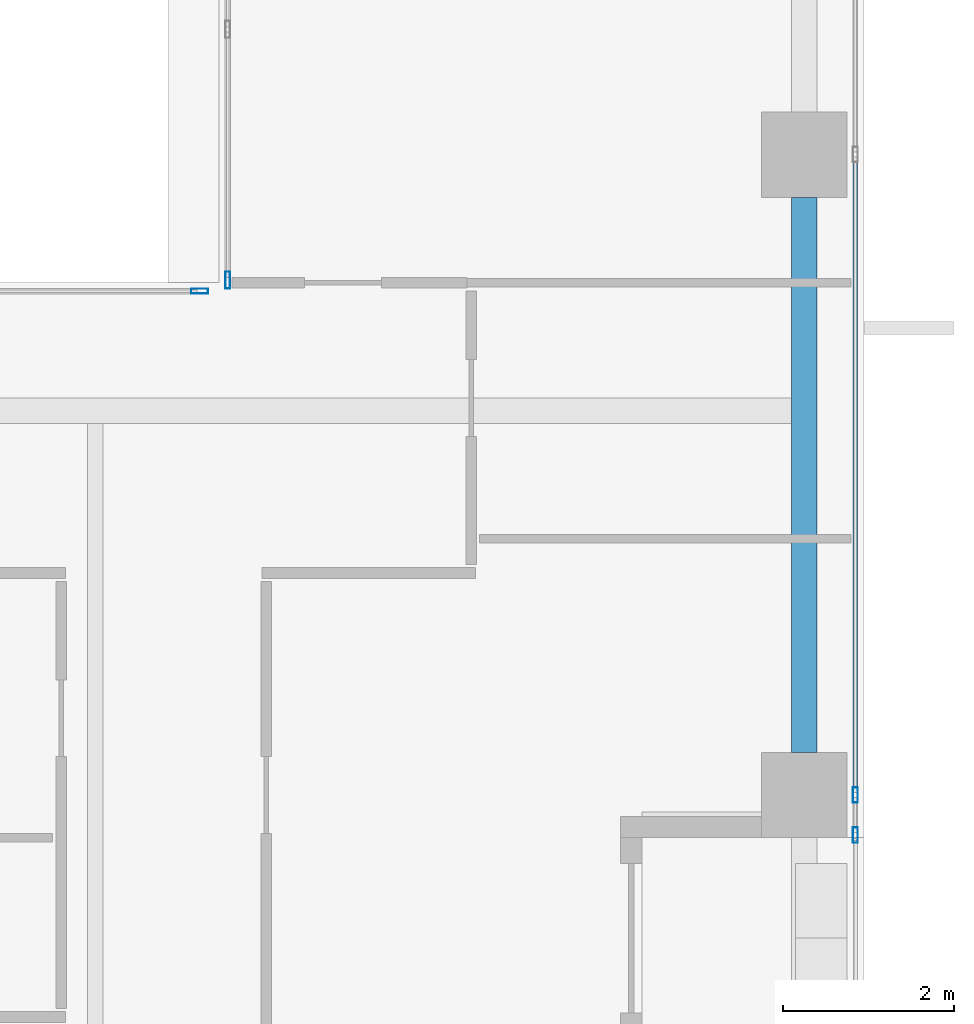
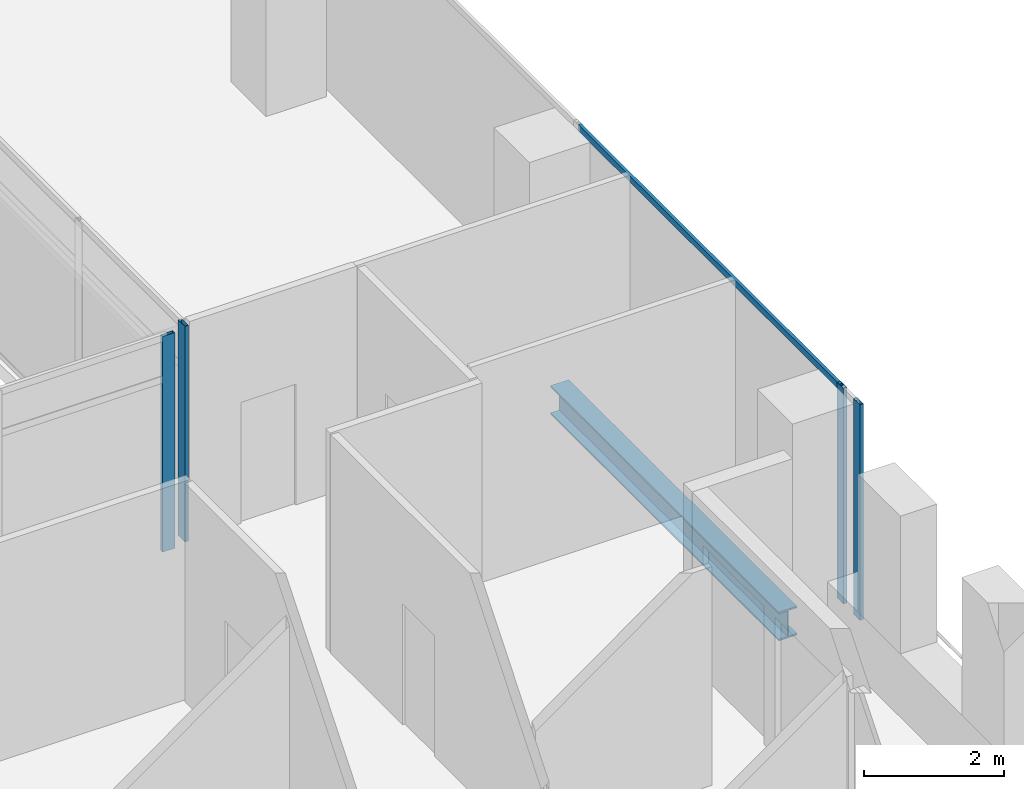
# One storey, part 17 of 37: 5 members, 1 beam, 3 elements without a shape of their own.
"""IFC4 building model written with IfcOpenShell, lengths in metres."""

from ifc_helpers import new_model, si_unit, direction, frame, origin, origin_2d, place, context, subcontext, project, spatial, hollow_rectangle, i_section, extrude, source, transform, mapped, material, material_profile, profile_set, type_object, element, aggregate, save


model = new_model("IFC4")

# Units and contexts
model_context = context("Model", 3, precision=1e-05, world=origin(), true_north=direction((0.0, 1.0)))
body_context = subcontext(model_context, "Body", "Model", "MODEL_VIEW")
ifc_project = project(units=[si_unit("LENGTHUNIT", "METRE"), si_unit("AREAUNIT", "SQUARE_METRE"), si_unit("VOLUMEUNIT", "CUBIC_METRE"), si_unit("PLANEANGLEUNIT", "RADIAN"), si_unit("MASSUNIT", "GRAM", prefix="KILO")], contexts=[model_context])

# Site, building, storey
site_placement = place(None, origin())
site = spatial("IfcSite", under=ifc_project, at=site_placement, CompositionType="ELEMENT")
building_placement = place(site_placement, origin())
building = spatial("IfcBuilding", under=site, at=building_placement, Name="Khomas Fold Tower", CompositionType="ELEMENT")
storey_placement = place(building_placement, frame((0.0, 0.0, 168.699951171875)))
storey = spatial("IfcBuildingStorey", under=building, at=storey_placement, Name="L36", CompositionType="ELEMENT", Elevation=168.699951171875)

# Beam
ifc_material_1 = material(Name="Steel S355", Category="steel")
ifc_material_profile_1 = material_profile(ifc_material_1, i_section(OverallWidth=0.300048828125, OverallDepth=0.5, WebThickness=0.014404296875, FlangeThickness=0.028076171875, at=origin_2d()), Name="HE 500 B")
ifc_profile_set_1 = profile_set([ifc_material_profile_1], Name="Steel S355")
beam_type = type_object("IfcBeamType", Name="HE 500 B spandrel SB3", PredefinedType="SPANDREL", material=ifc_profile_set_1)
shared_shape_1 = source(origin(), body_context, "Body", "SweptSolid", [
    extrude(i_section(OverallWidth=0.300048828125, OverallDepth=0.5, WebThickness=0.014404296875, FlangeThickness=0.028076171875, at=origin_2d()), origin(), (0.0, 0.0, 1.0), 6.5),
])
beam_placement = place(storey_placement, frame((50.300048828125, 27.5, -0.5), z_axis=(0.0, 1.0, 0.0), x_axis=(-1.0, 0.0, 0.0)))
element("IfcBeam", 1, at=beam_placement, inside=storey, type_object=beam_type, Name="SB3", PredefinedType="SPANDREL", context=body_context, shape_type="MappedRepresentation", body=[
    mapped(shared_shape_1, transform((0.0, 0.0, 0.0))),
])

# Curtain wall, members
ifc_material_2 = material(Name="Aluminium framed double glazing", Category="aluminium")
curtain_wall_type_1 = type_object("IfcCurtainWallType", Name="SK-Unitised clear-glass wall, office floors CW2", PredefinedType="NOTDEFINED", material=ifc_material_2)
curtain_wall_1_placement = place(storey_placement, origin())
curtain_wall_1 = element("IfcCurtainWall", 2, at=curtain_wall_1_placement, inside=storey, type_object=curtain_wall_type_1, Name="CW2 run L36 08-1", PredefinedType="NOTDEFINED")
ifc_material_3 = material(Name="Aluminium", Category="aluminium")
ifc_material_profile_2 = material_profile(ifc_material_3, hollow_rectangle(XDim=0.06005859375, YDim=0.179931640625, WallThickness=0.00390625, at=origin_2d()), Name="SK-Unitised clear-glass wall, office floors mullion CW2-M")
ifc_profile_set_2 = profile_set([ifc_material_profile_2], Name="Aluminium")
member_type_1 = type_object("IfcMemberType", Name="SK-Unitised clear-glass wall, office floors mullion CW2-M", PredefinedType="MULLION", material=ifc_profile_set_2)
shared_shape_2 = source(origin(), body_context, "Body", "SweptSolid", [
    extrude(hollow_rectangle(XDim=0.06005859375, YDim=0.179931640625, WallThickness=0.00390625, at=origin_2d()), origin(), (0.0, 0.0, 1.0), 3.75),
])
member_1_placement = place(storey_placement, frame((50.89990234375, 26.530029296875, 0.0), z_axis=(0.0, 0.0, 1.0), x_axis=(-1.0, 0.0, 0.0)))
member_1 = element("IfcMember", 3, at=member_1_placement, type_object=member_type_1, Name="CW2 mullion 1", PredefinedType="MULLION", context=body_context, shape_type="MappedRepresentation", body=[
    mapped(shared_shape_2, transform((0.0, 0.0, 0.0))),
])
member_2_placement = place(storey_placement, frame((50.89990234375, 27.0, 0.0), z_axis=(0.0, 0.0, 1.0), x_axis=(-1.0, 0.0, 0.0)))
member_2 = element("IfcMember", 4, at=member_2_placement, type_object=member_type_1, Name="CW2 mullion 2", PredefinedType="MULLION", context=body_context, shape_type="MappedRepresentation", body=[
    mapped(shared_shape_2, transform((0.0, 0.0, 0.0))),
])
ifc_material_4 = material(Name="Aluminium", Category="aluminium")
ifc_material_profile_3 = material_profile(ifc_material_4, hollow_rectangle(XDim=0.050048828125, YDim=0.110107421875, WallThickness=0.00390625, at=origin_2d()), Name="SK-Unitised clear-glass wall, office floors transom CW2-T")
ifc_profile_set_3 = profile_set([ifc_material_profile_3], Name="Aluminium")
member_type_2 = type_object("IfcMemberType", Name="SK-Unitised clear-glass wall, office floors transom CW2-T", PredefinedType="USERDEFINED", material=ifc_profile_set_3)
shared_shape_3 = source(origin(), body_context, "Body", "SweptSolid", [
    extrude(hollow_rectangle(XDim=0.050048828125, YDim=0.110107421875, WallThickness=0.00390625, at=origin_2d()), origin(), (0.0, 0.0, 1.0), 7.43994140625),
])
member_3_placement = place(storey_placement, frame((50.89990234375, 27.030029296875, 3.695068359375), z_axis=(0.0, 1.0, 0.0), x_axis=(-1.0, 0.0, 0.0)))
member_3 = element("IfcMember", 5, at=member_3_placement, type_object=member_type_2, Name="CW2 transom 2", ObjectType="TRANSOM", PredefinedType="USERDEFINED", context=body_context, shape_type="MappedRepresentation", body=[
    mapped(shared_shape_3, transform((0.0, 0.0, 0.0))),
])
aggregate(curtain_wall_1, [member_1, member_2, member_3])

# Curtain wall, member
ifc_material_5 = material(Name="Aluminium framed double glazing", Category="aluminium")
curtain_wall_type_2 = type_object("IfcCurtainWallType", Name="Notch glazing GN-CW", PredefinedType="NOTDEFINED", material=ifc_material_5)
curtain_wall_2_placement = place(storey_placement, origin())
curtain_wall_2 = element("IfcCurtainWall", 6, at=curtain_wall_2_placement, inside=storey, type_object=curtain_wall_type_2, Name="Notch glazing run", PredefinedType="NOTDEFINED")
ifc_material_6 = material(Name="Aluminium", Category="aluminium")
ifc_material_profile_4 = material_profile(ifc_material_6, hollow_rectangle(XDim=0.06005859375, YDim=0.199951171875, WallThickness=0.00390625, at=origin_2d()), Name="Notch glazing mullion GN-CW-M")
ifc_profile_set_4 = profile_set([ifc_material_profile_4], Name="Aluminium")
member_type_3 = type_object("IfcMemberType", Name="Notch glazing mullion GN-CW-M", PredefinedType="MULLION", material=ifc_profile_set_4)
shared_shape_4 = source(origin(), body_context, "Body", "SweptSolid", [
    extrude(hollow_rectangle(XDim=0.06005859375, YDim=0.199951171875, WallThickness=0.00390625, at=origin_2d()), origin(), (0.0, 0.0, 1.0), 3.75),
])
member_4_placement = place(storey_placement, frame((43.550048828125, 33.030029296875, 0.0), z_axis=(0.0, 0.0, 1.0), x_axis=(1.0, 0.0, 0.0)))
member_4 = element("IfcMember", 7, at=member_4_placement, type_object=member_type_3, Name="GN-CW mullion 7", PredefinedType="MULLION", context=body_context, shape_type="MappedRepresentation", body=[
    mapped(shared_shape_4, transform((0.0, 0.0, 0.0))),
])
aggregate(curtain_wall_2, [member_4])

curtain_wall_3_placement = place(storey_placement, origin())
curtain_wall_3 = element("IfcCurtainWall", 8, at=curtain_wall_3_placement, inside=storey, type_object=curtain_wall_type_2, Name="Notch glazing run", PredefinedType="NOTDEFINED")
member_5_placement = place(storey_placement, frame((43.219970703125, 32.89990234375, 0.0), z_axis=(0.0, 0.0, 1.0), x_axis=(0.0, -1.0, 0.0)))
member_5 = element("IfcMember", 9, at=member_5_placement, type_object=member_type_3, Name="GN-CW mullion 1", PredefinedType="MULLION", context=body_context, shape_type="MappedRepresentation", body=[
    mapped(shared_shape_4, transform((0.0, 0.0, 0.0))),
])
aggregate(curtain_wall_3, [member_5])

save(model, "model.ifc")
